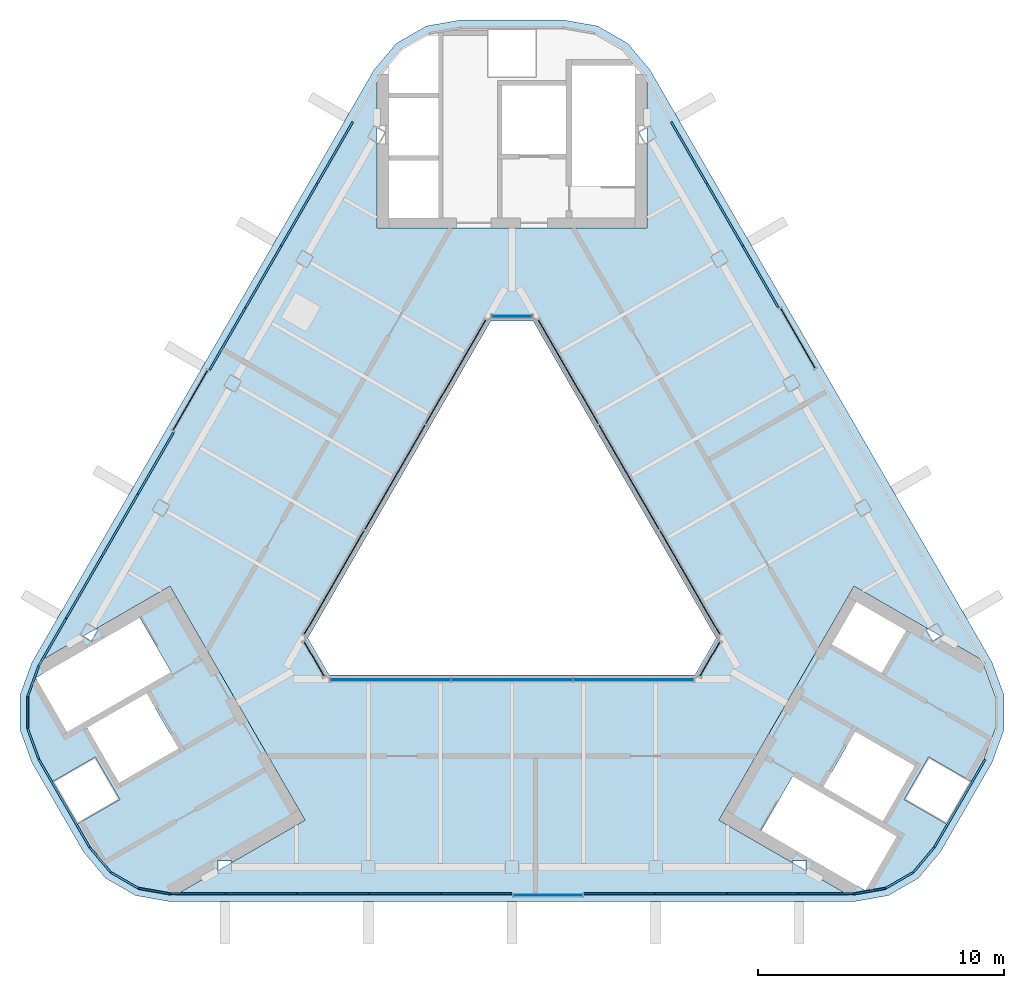
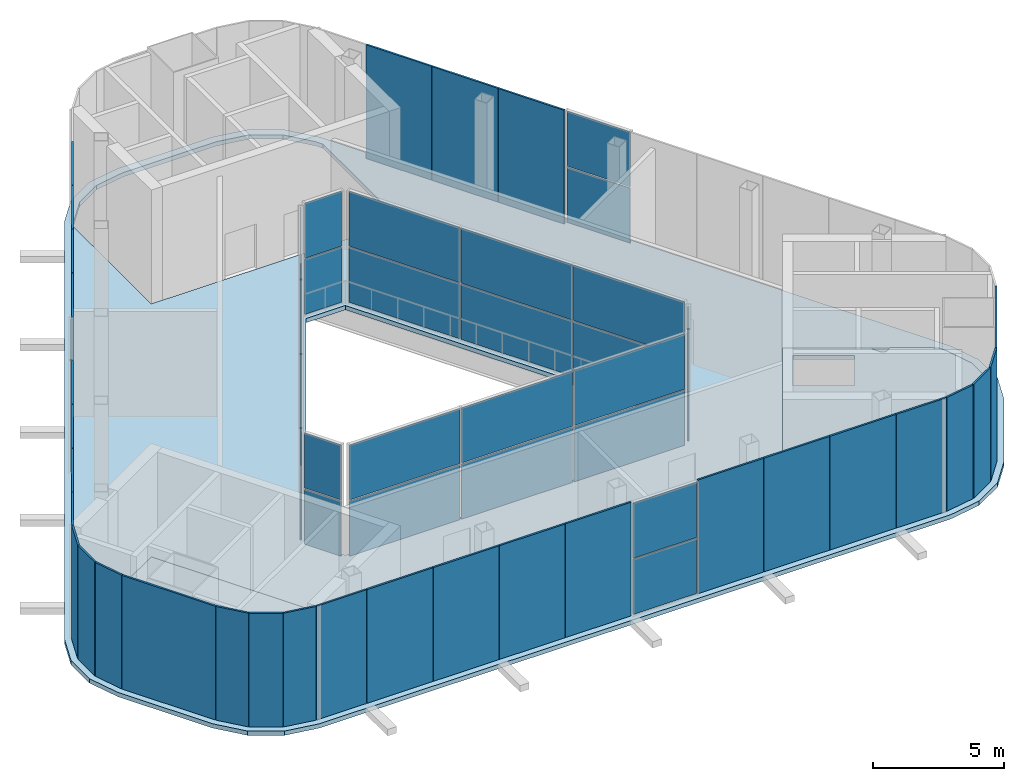
# One storey, part 5 of 9: 61 plates, 3 slabs, 9 elements without a shape of their own.
"""IFC4 building model written with IfcOpenShell, lengths in metres."""

from ifc_helpers import new_model, si_unit, direction, frame, origin, origin_2d, place, context, subcontext, project, spatial, polyline, rectangle, outline, extrude, material, layer, layer_set, type_object, element, aggregate, save


model = new_model("IFC4")

# Units and contexts
model_context = context("Model", 3, precision=1e-05, world=origin(), true_north=direction((0.0, 1.0)))
body_context = subcontext(model_context, "Body", "Model", "MODEL_VIEW")
ifc_project = project(units=[si_unit("LENGTHUNIT", "METRE"), si_unit("AREAUNIT", "SQUARE_METRE"), si_unit("VOLUMEUNIT", "CUBIC_METRE"), si_unit("PLANEANGLEUNIT", "RADIAN"), si_unit("MASSUNIT", "GRAM", prefix="KILO")], contexts=[model_context])

# Site, building, storey
site_placement = place(None, origin())
site = spatial("IfcSite", under=ifc_project, at=site_placement, CompositionType="ELEMENT")
building_placement = place(site_placement, origin())
building = spatial("IfcBuilding", under=site, at=building_placement, Name="Apuvela Tower Hotel", CompositionType="ELEMENT")
storey_placement = place(building_placement, frame((0.0, 0.0, 343.300048828125)))
storey = spatial("IfcBuildingStorey", under=building, at=storey_placement, Name="R-1 ROOF", CompositionType="ELEMENT", Elevation=343.300048828125)

# Slabs
ifc_material_1 = material(Name="Concrete C50/60", Category="concrete")
ifc_layer_1 = layer(ifc_material_1, 0.199951171875)
ifc_layer_set_1 = layer_set([ifc_layer_1], Name="COR-FLOOR-200")
slab_type_1 = type_object("IfcSlabType", Name="COR-FLOOR-200", PredefinedType="FLOOR", material=ifc_layer_set_1)
slab_1_placement = place(storey_placement, frame((0.0, 0.0, -0.199951171875)))
element("IfcSlab", 1, at=slab_1_placement, inside=storey, type_object=slab_type_1, Name="Core floor SW", PredefinedType="FLOOR", context=body_context, shape_type="SweptSolid", body=[
    extrude(outline(polyline([(-16.837890625, -3.4619140625), (-17.11279296875, -3.938232421875), (-17.467041015625, -3.733642578125), (-19.053955078125, -4.64990234375), (-19.223388671875, -4.943603515625), (-19.67529296875, -6.185302734375), (-19.67529296875, -7.47509765625), (-19.223388671875, -8.716796875), (-18.692138671875, -9.63720703125), (-16.9599609375, -8.63720703125), (-15.9599609375, -10.369140625), (-17.692138671875, -11.369140625), (-17.16064453125, -12.289794921875), (-16.311279296875, -13.3017578125), (-15.194091796875, -13.94677734375), (-13.89306640625, -14.17626953125), (-13.553955078125, -14.17626953125), (-11.967041015625, -13.260009765625), (-11.967041015625, -12.851318359375), (-11.4169921875, -12.851318359375), (-11.4169921875, -12.9423828125), (-8.421630859375, -11.213134765625), (-13.921630859375, -1.68701171875), (-16.9169921875, -3.416259765625), (-16.837890625, -3.4619140625)]), holes=[polyline([(-13.874267578125, -5.18115234375), (-18.112548828125, -7.628173828125), (-19.387451171875, -5.419921875), (-15.149169921875, -2.972900390625), (-13.874267578125, -5.18115234375)]), polyline([(-13.56982421875, -8.29638671875), (-15.99462890625, -9.6962890625), (-17.294677734375, -7.444580078125), (-14.869873046875, -6.044677734375), (-13.56982421875, -8.29638671875)])]), origin(), (0.0, 0.0, 1.0), 0.199951171875),
])
slab_2_placement = place(storey_placement, frame((0.0, 0.0, -0.199951171875)))
element("IfcSlab", 2, at=slab_2_placement, inside=storey, type_object=slab_type_1, Name="Core floor SE", PredefinedType="FLOOR", context=body_context, shape_type="SweptSolid", body=[
    extrude(outline(polyline([(11.4169921875, -12.851318359375), (11.967041015625, -12.851318359375), (11.967041015625, -13.260009765625), (13.553955078125, -14.17626953125), (13.89306640625, -14.17626953125), (15.194091796875, -13.94677734375), (16.311279296875, -13.3017578125), (17.16064453125, -12.289794921875), (17.692138671875, -11.369140625), (15.9599609375, -10.369140625), (16.9599609375, -8.63720703125), (18.692138671875, -9.63720703125), (19.223388671875, -8.716796875), (19.67529296875, -7.47509765625), (19.67529296875, -6.185302734375), (19.223388671875, -4.943603515625), (19.053955078125, -4.64990234375), (17.467041015625, -3.733642578125), (17.11279296875, -3.938232421875), (16.837890625, -3.4619140625), (16.9169921875, -3.416259765625), (13.921630859375, -1.68701171875), (8.421630859375, -11.213134765625), (11.4169921875, -12.9423828125), (11.4169921875, -12.851318359375)]), holes=[polyline([(14.01806640625, -2.31982421875), (16.044677734375, -3.489990234375), (15.044677734375, -5.221923828125), (13.01806640625, -4.052001953125), (14.01806640625, -2.31982421875)]), polyline([(10.149169921875, -11.633056640625), (11.42431640625, -9.4248046875), (15.66259765625, -11.871826171875), (14.387451171875, -14.080078125), (10.149169921875, -11.633056640625)]), polyline([(12.669921875, -9.855224609375), (13.9697265625, -7.603515625), (16.394775390625, -9.003662109375), (15.0947265625, -11.25537109375), (12.669921875, -9.855224609375)])]), origin(), (0.0, 0.0, 1.0), 0.199951171875),
])

# Plates
ifc_material_2 = material(Name="Aluminium 6063-T6, black anodised perforated panel", Category="aluminium")
ifc_layer_2 = layer(ifc_material_2, 0.080078125)
ifc_layer_set_2 = layer_set([ifc_layer_2], Name="ENV-CROWN-SCREEN-80")
plate_type_1 = type_object("IfcPlateType", Name="ENV-CROWN-SCREEN-80", PredefinedType="SHEET", material=ifc_layer_set_2)
for number, where, z_axis, x_axis, name in (
    (3, (-7.206298828125, 15.95068359375, 0.0), (0.0, 0.0, 1.0), (-0.5, -0.866025403784, 0.0), "Crown screen 8"),
    (4, (-8.6650390625, 13.42431640625, 0.0), (0.0, 0.0, 1.0), (-0.5, -0.866025403784, 0.0), "Crown screen 9"),
    (5, (-10.12353515625, 10.897705078125, 0.0), (0.0, 0.0, 1.0), (-0.5, -0.866025403784, 0.0), "Crown screen 10"),
    (6, (-11.582275390625, 8.371337890625, 0.0), (0.0, 0.0, 1.0), (-0.5, -0.866025403784, 0.0), "Crown screen 11"),
    (7, (-14.49951171875, 3.318359375, 0.0), (0.0, 0.0, 1.0), (-0.5, -0.866025403784, 0.0), "Crown screen 13"),
    (8, (-15.958251953125, 0.7919921875, 0.0), (0.0, 0.0, 1.0), (-0.5, -0.866025403784, 0.0), "Crown screen 14"),
    (9, (-17.4169921875, -1.734619140625, 0.0), (0.0, 0.0, 1.0), (-0.5, -0.866025403784, 0.0), "Crown screen 15"),
):
    element("IfcPlate", number, at=place(storey_placement, frame(where, z_axis=z_axis, x_axis=x_axis)), inside=storey, type_object=plate_type_1, Name=name, PredefinedType="SHEET", context=body_context, shape_type="SweptSolid", body=[
        extrude(rectangle(XDim=2.897216796875, YDim=0.080078125, at=origin_2d()), origin(), (0.0, 0.0, 1.0), 5.300048828125),
    ])
plate_1_placement = place(storey_placement, frame((-18.702880859375, -3.962158203125, 0.0), z_axis=(0.0, 0.0, 1.0), x_axis=(-0.5, -0.866025403784, 0.0)))
element("IfcPlate", 10, at=plate_1_placement, inside=storey, type_object=plate_type_1, Name="Crown screen 16", PredefinedType="SHEET", context=body_context, shape_type="SweptSolid", body=[
    extrude(rectangle(XDim=2.20751953125, YDim=0.080078125, at=origin_2d()), origin(), (0.0, 0.0, 1.0), 5.300048828125),
])
plate_2_placement = place(storey_placement, frame((-19.487548828125, -5.552490234375, 0.0), z_axis=(0.0, 0.0, 1.0), x_axis=(-0.342020143326, -0.939692620786, 0.0)))
element("IfcPlate", 11, at=plate_2_placement, inside=storey, type_object=plate_type_1, Name="Crown screen 17", PredefinedType="SHEET", context=body_context, shape_type="SweptSolid", body=[
    extrude(rectangle(XDim=1.311767578125, YDim=0.080078125, at=origin_2d()), origin(), (0.0, 0.0, 1.0), 5.300048828125),
])
plate_3_placement = place(storey_placement, frame((-19.71533203125, -6.830078125, 0.0), z_axis=(0.0, 0.0, 1.0), x_axis=(0.0, -1.0, 0.0)))
element("IfcPlate", 12, at=plate_3_placement, inside=storey, type_object=plate_type_1, Name="Crown screen 18", PredefinedType="SHEET", context=body_context, shape_type="SweptSolid", body=[
    extrude(rectangle(XDim=1.2841796875, YDim=0.080078125, at=origin_2d()), origin(), (0.0, 0.0, 1.0), 5.300048828125),
])
plate_4_placement = place(storey_placement, frame((-19.487548828125, -8.10791015625, 0.0), z_axis=(0.0, 0.0, 1.0), x_axis=(0.342020143326, -0.939692620786, 0.0)))
element("IfcPlate", 13, at=plate_4_placement, inside=storey, type_object=plate_type_1, Name="Crown screen 19", PredefinedType="SHEET", context=body_context, shape_type="SweptSolid", body=[
    extrude(rectangle(XDim=1.311767578125, YDim=0.080078125, at=origin_2d()), origin(), (0.0, 0.0, 1.0), 5.300048828125),
])
plate_5_placement = place(storey_placement, frame((-18.226806640625, -10.523193359375, 0.0), z_axis=(0.0, 0.0, 1.0), x_axis=(0.5, -0.866025403784, 0.0)))
element("IfcPlate", 14, at=plate_5_placement, inside=storey, type_object=plate_type_1, Name="Crown screen 20", PredefinedType="SHEET", context=body_context, shape_type="SweptSolid", body=[
    extrude(rectangle(XDim=4.11279296875, YDim=0.080078125, at=origin_2d()), origin(), (0.0, 0.0, 1.0), 5.300048828125),
])
plate_6_placement = place(storey_placement, frame((-16.765380859375, -12.82275390625, 0.0), z_axis=(0.0, 0.0, 1.0), x_axis=(0.642787609687, -0.766044443119, 0.0)))
element("IfcPlate", 15, at=plate_6_placement, inside=storey, type_object=plate_type_1, Name="Crown screen 21", PredefinedType="SHEET", context=body_context, shape_type="SweptSolid", body=[
    extrude(rectangle(XDim=1.311767578125, YDim=0.080078125, at=origin_2d()), origin(), (0.0, 0.0, 1.0), 5.300048828125),
])
plate_7_placement = place(storey_placement, frame((-15.772705078125, -13.658935546875, 0.0), z_axis=(0.0, 0.0, 1.0), x_axis=(0.866025403784, -0.5, 0.0)))
element("IfcPlate", 16, at=plate_7_placement, inside=storey, type_object=plate_type_1, Name="Crown screen 22", PredefinedType="SHEET", context=body_context, shape_type="SweptSolid", body=[
    extrude(rectangle(XDim=1.2841796875, YDim=0.080078125, at=origin_2d()), origin(), (0.0, 0.0, 1.0), 5.300048828125),
])
plate_8_placement = place(storey_placement, frame((-14.55224609375, -14.1005859375, 0.0), z_axis=(0.0, 0.0, 1.0), x_axis=(0.984807753012, -0.173648177667, 0.0)))
element("IfcPlate", 17, at=plate_8_placement, inside=storey, type_object=plate_type_1, Name="Crown screen 23", PredefinedType="SHEET", context=body_context, shape_type="SweptSolid", body=[
    extrude(rectangle(XDim=1.311767578125, YDim=0.080078125, at=origin_2d()), origin(), (0.0, 0.0, 1.0), 5.300048828125),
])
plate_9_placement = place(storey_placement, frame((-12.782958984375, -14.21630859375, 0.0), z_axis=(0.0, 0.0, 1.0), x_axis=(1.0, 0.0, 0.0)))
element("IfcPlate", 18, at=plate_9_placement, inside=storey, type_object=plate_type_1, Name="Crown screen 24", PredefinedType="SHEET", context=body_context, shape_type="SweptSolid", body=[
    extrude(rectangle(XDim=2.20751953125, YDim=0.080078125, at=origin_2d()), origin(), (0.0, 0.0, 1.0), 5.300048828125),
])
for number, where, z_axis, x_axis, name in (
    (19, (-10.210693359375, -14.21630859375, 0.0), (0.0, 0.0, 1.0), (1.0, 0.0, 0.0), "Crown screen 25"),
    (20, (-7.293212890625, -14.21630859375, 0.0), (0.0, 0.0, 1.0), (1.0, 0.0, 0.0), "Crown screen 26"),
    (21, (-4.3759765625, -14.21630859375, 0.0), (0.0, 0.0, 1.0), (1.0, 0.0, 0.0), "Crown screen 27"),
    (22, (-1.458740234375, -14.21630859375, 0.0), (0.0, 0.0, 1.0), (1.0, 0.0, 0.0), "Crown screen 28"),
    (23, (4.3759765625, -14.21630859375, 0.0), (0.0, 0.0, 1.0), (1.0, 0.0, 0.0), "Crown screen 30"),
    (24, (7.293212890625, -14.21630859375, 0.0), (0.0, 0.0, 1.0), (1.0, 0.0, 0.0), "Crown screen 31"),
    (25, (10.210693359375, -14.21630859375, 0.0), (0.0, 0.0, 1.0), (1.0, 0.0, 0.0), "Crown screen 32"),
):
    element("IfcPlate", number, at=place(storey_placement, frame(where, z_axis=z_axis, x_axis=x_axis)), inside=storey, type_object=plate_type_1, Name=name, PredefinedType="SHEET", context=body_context, shape_type="SweptSolid", body=[
        extrude(rectangle(XDim=2.897216796875, YDim=0.080078125, at=origin_2d()), origin(), (0.0, 0.0, 1.0), 5.300048828125),
    ])
plate_10_placement = place(storey_placement, frame((12.782958984375, -14.21630859375, 0.0), z_axis=(0.0, 0.0, 1.0), x_axis=(1.0, 0.0, 0.0)))
element("IfcPlate", 26, at=plate_10_placement, inside=storey, type_object=plate_type_1, Name="Crown screen 33", PredefinedType="SHEET", context=body_context, shape_type="SweptSolid", body=[
    extrude(rectangle(XDim=2.20751953125, YDim=0.080078125, at=origin_2d()), origin(), (0.0, 0.0, 1.0), 5.300048828125),
])
plate_11_placement = place(storey_placement, frame((14.55224609375, -14.1005859375, 0.0), z_axis=(0.0, 0.0, 1.0), x_axis=(0.984807753012, 0.173648177667, 0.0)))
element("IfcPlate", 27, at=plate_11_placement, inside=storey, type_object=plate_type_1, Name="Crown screen 34", PredefinedType="SHEET", context=body_context, shape_type="SweptSolid", body=[
    extrude(rectangle(XDim=1.311767578125, YDim=0.080078125, at=origin_2d()), origin(), (0.0, 0.0, 1.0), 5.300048828125),
])
plate_12_placement = place(storey_placement, frame((15.772705078125, -13.658935546875, 0.0), z_axis=(0.0, 0.0, 1.0), x_axis=(0.866025403784, 0.5, 0.0)))
element("IfcPlate", 28, at=plate_12_placement, inside=storey, type_object=plate_type_1, Name="Crown screen 35", PredefinedType="SHEET", context=body_context, shape_type="SweptSolid", body=[
    extrude(rectangle(XDim=1.2841796875, YDim=0.080078125, at=origin_2d()), origin(), (0.0, 0.0, 1.0), 5.300048828125),
])
plate_13_placement = place(storey_placement, frame((16.765380859375, -12.82275390625, 0.0), z_axis=(0.0, 0.0, 1.0), x_axis=(0.642787609687, 0.766044443119, 0.0)))
element("IfcPlate", 29, at=plate_13_placement, inside=storey, type_object=plate_type_1, Name="Crown screen 36", PredefinedType="SHEET", context=body_context, shape_type="SweptSolid", body=[
    extrude(rectangle(XDim=1.311767578125, YDim=0.080078125, at=origin_2d()), origin(), (0.0, 0.0, 1.0), 5.300048828125),
])
plate_14_placement = place(storey_placement, frame((18.226806640625, -10.523193359375, 0.0), z_axis=(0.0, 0.0, 1.0), x_axis=(0.5, 0.866025403784, 0.0)))
element("IfcPlate", 30, at=plate_14_placement, inside=storey, type_object=plate_type_1, Name="Crown screen 37", PredefinedType="SHEET", context=body_context, shape_type="SweptSolid", body=[
    extrude(rectangle(XDim=4.11279296875, YDim=0.080078125, at=origin_2d()), origin(), (0.0, 0.0, 1.0), 5.300048828125),
])
for number, where, z_axis, x_axis, name in (
    (31, (10.12353515625, 10.897705078125, 0.0), (0.0, 0.0, 1.0), (-0.5, 0.866025403784, 0.0), "Crown screen 47"),
    (32, (8.6650390625, 13.42431640625, 0.0), (0.0, 0.0, 1.0), (-0.5, 0.866025403784, 0.0), "Crown screen 48"),
    (33, (7.206298828125, 15.95068359375, 0.0), (0.0, 0.0, 1.0), (-0.5, 0.866025403784, 0.0), "Crown screen 49"),
):
    element("IfcPlate", number, at=place(storey_placement, frame(where, z_axis=z_axis, x_axis=x_axis)), inside=storey, type_object=plate_type_1, Name=name, PredefinedType="SHEET", context=body_context, shape_type="SweptSolid", body=[
        extrude(rectangle(XDim=2.897216796875, YDim=0.080078125, at=origin_2d()), origin(), (0.0, 0.0, 1.0), 5.300048828125),
    ])

# Curtain wall, plates
ifc_material_3 = material(Name="Aluminium 6063-T6, dark bronze anodised", Category="aluminium")
ifc_layer_3 = layer(ifc_material_3, 0.199951171875)
ifc_layer_set_3 = layer_set([ifc_layer_3], Name="ENV-CW-C")
curtain_wall_type_1 = type_object("IfcCurtainWallType", Name="ENV-CW-C", PredefinedType="NOTDEFINED", material=ifc_layer_set_3)
curtain_wall_1_placement = place(storey_placement, origin())
curtain_wall_1 = element("IfcCurtainWall", 34, at=curtain_wall_1_placement, inside=storey, type_object=curtain_wall_type_1, Name="Crown glazing 12 R-1 ROOF", PredefinedType="NOTDEFINED")
ifc_material_4 = material(Name="Glass, dark tinted laminated insulated glazing unit", Category="glass")
ifc_layer_4 = layer(ifc_material_4, 0.0400390625)
ifc_layer_set_4 = layer_set([ifc_layer_4], Name="ENV-PANEL-IGU-40")
plate_type_2 = type_object("IfcPlateType", Name="ENV-PANEL-IGU-40", PredefinedType="CURTAIN_PANEL", material=ifc_layer_set_4)
plate_15_placement = place(storey_placement, frame((-13.093017578125, 5.874755859375, 0.06494140625), z_axis=(0.0, 0.0, 1.0), x_axis=(-0.499980601426, -0.866036603266, 0.0)))
plate_15 = element("IfcPlate", 35, at=plate_15_placement, type_object=plate_type_2, Name="CW-C panel 1.1", PredefinedType="CURTAIN_PANEL", context=body_context, shape_type="SweptSolid", body=[
    extrude(rectangle(XDim=2.787353515625, YDim=0.0400390625, at=origin_2d()), origin(), (0.0, 0.0, 1.0), 2.552490234375),
])
plate_16_placement = place(storey_placement, frame((-13.093017578125, 5.874755859375, 2.6826171875), z_axis=(0.0, 0.0, 1.0), x_axis=(-0.499980601426, -0.866036603266, 0.0)))
plate_16 = element("IfcPlate", 36, at=plate_16_placement, type_object=plate_type_2, Name="CW-C panel 1.2", PredefinedType="CURTAIN_PANEL", context=body_context, shape_type="SweptSolid", body=[
    extrude(rectangle(XDim=2.787353515625, YDim=0.0400390625, at=origin_2d()), origin(), (0.0, 0.0, 1.0), 2.552490234375),
])
aggregate(curtain_wall_1, [plate_15, plate_16])

curtain_wall_2_placement = place(storey_placement, origin())
curtain_wall_2 = element("IfcCurtainWall", 37, at=curtain_wall_2_placement, inside=storey, type_object=curtain_wall_type_1, Name="Crown glazing 29 R-1 ROOF", PredefinedType="NOTDEFINED")
plate_17_placement = place(storey_placement, frame((1.458740234375, -14.276123046875, 0.06494140625), z_axis=(0.0, 0.0, 1.0), x_axis=(1.0, 0.0, 0.0)))
plate_17 = element("IfcPlate", 38, at=plate_17_placement, type_object=plate_type_2, Name="CW-C panel 1.1", PredefinedType="CURTAIN_PANEL", context=body_context, shape_type="SweptSolid", body=[
    extrude(rectangle(XDim=2.787353515625, YDim=0.0400390625, at=origin_2d()), origin(), (0.0, 0.0, 1.0), 2.552490234375),
])
plate_18_placement = place(storey_placement, frame((1.458740234375, -14.276123046875, 2.6826171875), z_axis=(0.0, 0.0, 1.0), x_axis=(1.0, 0.0, 0.0)))
plate_18 = element("IfcPlate", 39, at=plate_18_placement, type_object=plate_type_2, Name="CW-C panel 1.2", PredefinedType="CURTAIN_PANEL", context=body_context, shape_type="SweptSolid", body=[
    extrude(rectangle(XDim=2.787353515625, YDim=0.0400390625, at=origin_2d()), origin(), (0.0, 0.0, 1.0), 2.552490234375),
])
aggregate(curtain_wall_2, [plate_17, plate_18])

curtain_wall_3_placement = place(storey_placement, origin())
curtain_wall_3 = element("IfcCurtainWall", 40, at=curtain_wall_3_placement, inside=storey, type_object=curtain_wall_type_1, Name="Crown glazing 46 R-1 ROOF", PredefinedType="NOTDEFINED")
plate_19_placement = place(storey_placement, frame((11.63427734375, 8.4013671875, 0.06494140625), z_axis=(0.0, 0.0, 1.0), x_axis=(-0.500006310028, 0.866021760657, 0.0)))
plate_19 = element("IfcPlate", 41, at=plate_19_placement, type_object=plate_type_2, Name="CW-C panel 1.1", PredefinedType="CURTAIN_PANEL", context=body_context, shape_type="SweptSolid", body=[
    extrude(rectangle(XDim=2.787353515625, YDim=0.0400390625, at=origin_2d()), origin(), (0.0, 0.0, 1.0), 2.552490234375),
])
plate_20_placement = place(storey_placement, frame((11.63427734375, 8.4013671875, 2.6826171875), z_axis=(0.0, 0.0, 1.0), x_axis=(-0.500006310028, 0.866021760657, 0.0)))
plate_20 = element("IfcPlate", 42, at=plate_20_placement, type_object=plate_type_2, Name="CW-C panel 1.2", PredefinedType="CURTAIN_PANEL", context=body_context, shape_type="SweptSolid", body=[
    extrude(rectangle(XDim=2.787353515625, YDim=0.0400390625, at=origin_2d()), origin(), (0.0, 0.0, 1.0), 2.552490234375),
])
aggregate(curtain_wall_3, [plate_19, plate_20])

ifc_layer_5 = layer(ifc_material_3, 0.199951171875)
ifc_layer_set_5 = layer_set([ifc_layer_5], Name="ENV-CW-A")
curtain_wall_type_2 = type_object("IfcCurtainWallType", Name="ENV-CW-A", PredefinedType="NOTDEFINED", material=ifc_layer_set_5)
curtain_wall_4_placement = place(storey_placement, origin())
curtain_wall_4 = element("IfcCurtainWall", 43, at=curtain_wall_4_placement, inside=storey, type_object=curtain_wall_type_2, Name="Atrium glazing 1 R-1 ROOF", PredefinedType="NOTDEFINED")
plate_21_placement = place(storey_placement, frame((0.0, 9.300048828125, 0.06494140625), z_axis=(0.0, 0.0, 1.0), x_axis=(-1.0, 0.0, 0.0)))
plate_21 = element("IfcPlate", 44, at=plate_21_placement, type_object=plate_type_2, Name="CW-A panel 1.1", PredefinedType="CURTAIN_PANEL", context=body_context, shape_type="SweptSolid", body=[
    extrude(rectangle(XDim=1.60205078125, YDim=0.0400390625, at=origin_2d()), origin(), (0.0, 0.0, 1.0), 2.552490234375),
])
plate_22_placement = place(storey_placement, frame((0.0, 9.300048828125, 2.6826171875), z_axis=(0.0, 0.0, 1.0), x_axis=(-1.0, 0.0, 0.0)))
plate_22 = element("IfcPlate", 45, at=plate_22_placement, type_object=plate_type_2, Name="CW-A panel 1.2", PredefinedType="CURTAIN_PANEL", context=body_context, shape_type="SweptSolid", body=[
    extrude(rectangle(XDim=1.60205078125, YDim=0.0400390625, at=origin_2d()), origin(), (0.0, 0.0, 1.0), 2.552490234375),
])
aggregate(curtain_wall_4, [plate_21, plate_22])

curtain_wall_5_placement = place(storey_placement, origin())
curtain_wall_5 = element("IfcCurtainWall", 46, at=curtain_wall_5_placement, inside=storey, type_object=curtain_wall_type_2, Name="Atrium glazing 2 R-1 ROOF", PredefinedType="NOTDEFINED")
plate_23_placement = place(storey_placement, frame((-2.28857421875, 7.035888671875, 0.06494140625), z_axis=(0.0, 0.0, 1.0), x_axis=(-0.499999069899, -0.866025940778, 0.0)))
plate_23 = element("IfcPlate", 47, at=plate_23_placement, type_object=plate_type_2, Name="CW-A panel 1.1", PredefinedType="CURTAIN_PANEL", context=body_context, shape_type="SweptSolid", body=[
    extrude(rectangle(XDim=4.86767578125, YDim=0.0400390625, at=origin_2d()), origin(), (0.0, 0.0, 1.0), 2.552490234375),
])
plate_24_placement = place(storey_placement, frame((-2.28857421875, 7.035888671875, 2.6826171875), z_axis=(0.0, 0.0, 1.0), x_axis=(-0.499999069899, -0.866025940778, 0.0)))
plate_24 = element("IfcPlate", 48, at=plate_24_placement, type_object=plate_type_2, Name="CW-A panel 1.2", PredefinedType="CURTAIN_PANEL", context=body_context, shape_type="SweptSolid", body=[
    extrude(rectangle(XDim=4.86767578125, YDim=0.0400390625, at=origin_2d()), origin(), (0.0, 0.0, 1.0), 2.552490234375),
])
plate_25_placement = place(storey_placement, frame((-4.76318359375, 2.75, 0.06494140625), z_axis=(0.0, 0.0, 1.0), x_axis=(-0.499999069899, -0.866025940778, 0.0)))
plate_25 = element("IfcPlate", 49, at=plate_25_placement, type_object=plate_type_2, Name="CW-A panel 2.1", PredefinedType="CURTAIN_PANEL", context=body_context, shape_type="SweptSolid", body=[
    extrude(rectangle(XDim=4.900146484375, YDim=0.0400390625, at=origin_2d()), origin(), (0.0, 0.0, 1.0), 2.552490234375),
])
plate_26_placement = place(storey_placement, frame((-4.76318359375, 2.75, 2.6826171875), z_axis=(0.0, 0.0, 1.0), x_axis=(-0.499999069899, -0.866025940778, 0.0)))
plate_26 = element("IfcPlate", 50, at=plate_26_placement, type_object=plate_type_2, Name="CW-A panel 2.2", PredefinedType="CURTAIN_PANEL", context=body_context, shape_type="SweptSolid", body=[
    extrude(rectangle(XDim=4.900146484375, YDim=0.0400390625, at=origin_2d()), origin(), (0.0, 0.0, 1.0), 2.552490234375),
])
plate_27_placement = place(storey_placement, frame((-7.237548828125, -1.535888671875, 0.06494140625), z_axis=(0.0, 0.0, 1.0), x_axis=(-0.499999069899, -0.866025940778, 0.0)))
plate_27 = element("IfcPlate", 51, at=plate_27_placement, type_object=plate_type_2, Name="CW-A panel 3.1", PredefinedType="CURTAIN_PANEL", context=body_context, shape_type="SweptSolid", body=[
    extrude(rectangle(XDim=4.86767578125, YDim=0.0400390625, at=origin_2d()), origin(), (0.0, 0.0, 1.0), 2.552490234375),
])
plate_28_placement = place(storey_placement, frame((-7.237548828125, -1.535888671875, 2.6826171875), z_axis=(0.0, 0.0, 1.0), x_axis=(-0.499999069899, -0.866025940778, 0.0)))
plate_28 = element("IfcPlate", 52, at=plate_28_placement, type_object=plate_type_2, Name="CW-A panel 3.2", PredefinedType="CURTAIN_PANEL", context=body_context, shape_type="SweptSolid", body=[
    extrude(rectangle(XDim=4.86767578125, YDim=0.0400390625, at=origin_2d()), origin(), (0.0, 0.0, 1.0), 2.552490234375),
])
aggregate(curtain_wall_5, [plate_23, plate_24, plate_25, plate_26, plate_27, plate_28])

curtain_wall_6_placement = place(storey_placement, origin())
curtain_wall_6 = element("IfcCurtainWall", 53, at=curtain_wall_6_placement, inside=storey, type_object=curtain_wall_type_2, Name="Atrium glazing 3 R-1 ROOF", PredefinedType="NOTDEFINED")
plate_29_placement = place(storey_placement, frame((-8.053955078125, -4.64990234375, 0.06494140625), z_axis=(0.0, 0.0, 1.0), x_axis=(0.49998899972, -0.866031754706, 0.0)))
plate_29 = element("IfcPlate", 54, at=plate_29_placement, type_object=plate_type_2, Name="CW-A panel 1.1", PredefinedType="CURTAIN_PANEL", context=body_context, shape_type="SweptSolid", body=[
    extrude(rectangle(XDim=1.60205078125, YDim=0.0400390625, at=origin_2d()), origin(), (0.0, 0.0, 1.0), 2.552490234375),
])
plate_30_placement = place(storey_placement, frame((-8.053955078125, -4.64990234375, 2.6826171875), z_axis=(0.0, 0.0, 1.0), x_axis=(0.49998899972, -0.866031754706, 0.0)))
plate_30 = element("IfcPlate", 55, at=plate_30_placement, type_object=plate_type_2, Name="CW-A panel 1.2", PredefinedType="CURTAIN_PANEL", context=body_context, shape_type="SweptSolid", body=[
    extrude(rectangle(XDim=1.60205078125, YDim=0.0400390625, at=origin_2d()), origin(), (0.0, 0.0, 1.0), 2.552490234375),
])
aggregate(curtain_wall_6, [plate_29, plate_30])

curtain_wall_7_placement = place(storey_placement, origin())
curtain_wall_7 = element("IfcCurtainWall", 56, at=curtain_wall_7_placement, inside=storey, type_object=curtain_wall_type_2, Name="Atrium glazing 4 R-1 ROOF", PredefinedType="NOTDEFINED")
plate_31_placement = place(storey_placement, frame((-4.948974609375, -5.5, 0.06494140625), z_axis=(0.0, 0.0, 1.0), x_axis=(1.0, 0.0, 0.0)))
plate_31 = element("IfcPlate", 57, at=plate_31_placement, type_object=plate_type_2, Name="CW-A panel 1.1", PredefinedType="CURTAIN_PANEL", context=body_context, shape_type="SweptSolid", body=[
    extrude(rectangle(XDim=4.86767578125, YDim=0.0400390625, at=origin_2d()), origin(), (0.0, 0.0, 1.0), 2.552490234375),
])
plate_32_placement = place(storey_placement, frame((-4.948974609375, -5.5, 2.6826171875), z_axis=(0.0, 0.0, 1.0), x_axis=(1.0, 0.0, 0.0)))
plate_32 = element("IfcPlate", 58, at=plate_32_placement, type_object=plate_type_2, Name="CW-A panel 1.2", PredefinedType="CURTAIN_PANEL", context=body_context, shape_type="SweptSolid", body=[
    extrude(rectangle(XDim=4.86767578125, YDim=0.0400390625, at=origin_2d()), origin(), (0.0, 0.0, 1.0), 2.552490234375),
])
plate_33_placement = place(storey_placement, frame((0.0, -5.5, 0.06494140625), z_axis=(0.0, 0.0, 1.0), x_axis=(1.0, 0.0, 0.0)))
plate_33 = element("IfcPlate", 59, at=plate_33_placement, type_object=plate_type_2, Name="CW-A panel 2.1", PredefinedType="CURTAIN_PANEL", context=body_context, shape_type="SweptSolid", body=[
    extrude(rectangle(XDim=4.900146484375, YDim=0.0400390625, at=origin_2d()), origin(), (0.0, 0.0, 1.0), 2.552490234375),
])
plate_34_placement = place(storey_placement, frame((0.0, -5.5, 2.6826171875), z_axis=(0.0, 0.0, 1.0), x_axis=(1.0, 0.0, 0.0)))
plate_34 = element("IfcPlate", 60, at=plate_34_placement, type_object=plate_type_2, Name="CW-A panel 2.2", PredefinedType="CURTAIN_PANEL", context=body_context, shape_type="SweptSolid", body=[
    extrude(rectangle(XDim=4.900146484375, YDim=0.0400390625, at=origin_2d()), origin(), (0.0, 0.0, 1.0), 2.552490234375),
])
plate_35_placement = place(storey_placement, frame((4.948974609375, -5.5, 0.06494140625), z_axis=(0.0, 0.0, 1.0), x_axis=(1.0, 0.0, 0.0)))
plate_35 = element("IfcPlate", 61, at=plate_35_placement, type_object=plate_type_2, Name="CW-A panel 3.1", PredefinedType="CURTAIN_PANEL", context=body_context, shape_type="SweptSolid", body=[
    extrude(rectangle(XDim=4.86767578125, YDim=0.0400390625, at=origin_2d()), origin(), (0.0, 0.0, 1.0), 2.552490234375),
])
plate_36_placement = place(storey_placement, frame((4.948974609375, -5.5, 2.6826171875), z_axis=(0.0, 0.0, 1.0), x_axis=(1.0, 0.0, 0.0)))
plate_36 = element("IfcPlate", 62, at=plate_36_placement, type_object=plate_type_2, Name="CW-A panel 3.2", PredefinedType="CURTAIN_PANEL", context=body_context, shape_type="SweptSolid", body=[
    extrude(rectangle(XDim=4.86767578125, YDim=0.0400390625, at=origin_2d()), origin(), (0.0, 0.0, 1.0), 2.552490234375),
])
aggregate(curtain_wall_7, [plate_31, plate_32, plate_33, plate_34, plate_35, plate_36])

curtain_wall_8_placement = place(storey_placement, origin())
curtain_wall_8 = element("IfcCurtainWall", 63, at=curtain_wall_8_placement, inside=storey, type_object=curtain_wall_type_2, Name="Atrium glazing 5 R-1 ROOF", PredefinedType="NOTDEFINED")
plate_37_placement = place(storey_placement, frame((8.053955078125, -4.64990234375, 0.06494140625), z_axis=(0.0, 0.0, 1.0), x_axis=(0.49998899972, 0.866031754706, 0.0)))
plate_37 = element("IfcPlate", 64, at=plate_37_placement, type_object=plate_type_2, Name="CW-A panel 1.1", PredefinedType="CURTAIN_PANEL", context=body_context, shape_type="SweptSolid", body=[
    extrude(rectangle(XDim=1.60205078125, YDim=0.0400390625, at=origin_2d()), origin(), (0.0, 0.0, 1.0), 2.552490234375),
])
plate_38_placement = place(storey_placement, frame((8.053955078125, -4.64990234375, 2.6826171875), z_axis=(0.0, 0.0, 1.0), x_axis=(0.49998899972, 0.866031754706, 0.0)))
plate_38 = element("IfcPlate", 65, at=plate_38_placement, type_object=plate_type_2, Name="CW-A panel 1.2", PredefinedType="CURTAIN_PANEL", context=body_context, shape_type="SweptSolid", body=[
    extrude(rectangle(XDim=1.60205078125, YDim=0.0400390625, at=origin_2d()), origin(), (0.0, 0.0, 1.0), 2.552490234375),
])
aggregate(curtain_wall_8, [plate_37, plate_38])

curtain_wall_9_placement = place(storey_placement, origin())
curtain_wall_9 = element("IfcCurtainWall", 66, at=curtain_wall_9_placement, inside=storey, type_object=curtain_wall_type_2, Name="Atrium glazing 6 R-1 ROOF", PredefinedType="NOTDEFINED")
plate_39_placement = place(storey_placement, frame((7.237548828125, -1.535888671875, 0.06494140625), z_axis=(0.0, 0.0, 1.0), x_axis=(-0.499999069899, 0.866025940778, 0.0)))
plate_39 = element("IfcPlate", 67, at=plate_39_placement, type_object=plate_type_2, Name="CW-A panel 1.1", PredefinedType="CURTAIN_PANEL", context=body_context, shape_type="SweptSolid", body=[
    extrude(rectangle(XDim=4.86767578125, YDim=0.0400390625, at=origin_2d()), origin(), (0.0, 0.0, 1.0), 2.552490234375),
])
plate_40_placement = place(storey_placement, frame((7.237548828125, -1.535888671875, 2.6826171875), z_axis=(0.0, 0.0, 1.0), x_axis=(-0.499999069899, 0.866025940778, 0.0)))
plate_40 = element("IfcPlate", 68, at=plate_40_placement, type_object=plate_type_2, Name="CW-A panel 1.2", PredefinedType="CURTAIN_PANEL", context=body_context, shape_type="SweptSolid", body=[
    extrude(rectangle(XDim=4.86767578125, YDim=0.0400390625, at=origin_2d()), origin(), (0.0, 0.0, 1.0), 2.552490234375),
])
plate_41_placement = place(storey_placement, frame((4.76318359375, 2.75, 0.06494140625), z_axis=(0.0, 0.0, 1.0), x_axis=(-0.499999069899, 0.866025940778, 0.0)))
plate_41 = element("IfcPlate", 69, at=plate_41_placement, type_object=plate_type_2, Name="CW-A panel 2.1", PredefinedType="CURTAIN_PANEL", context=body_context, shape_type="SweptSolid", body=[
    extrude(rectangle(XDim=4.900146484375, YDim=0.0400390625, at=origin_2d()), origin(), (0.0, 0.0, 1.0), 2.552490234375),
])
plate_42_placement = place(storey_placement, frame((4.76318359375, 2.75, 2.6826171875), z_axis=(0.0, 0.0, 1.0), x_axis=(-0.499999069899, 0.866025940778, 0.0)))
plate_42 = element("IfcPlate", 70, at=plate_42_placement, type_object=plate_type_2, Name="CW-A panel 2.2", PredefinedType="CURTAIN_PANEL", context=body_context, shape_type="SweptSolid", body=[
    extrude(rectangle(XDim=4.900146484375, YDim=0.0400390625, at=origin_2d()), origin(), (0.0, 0.0, 1.0), 2.552490234375),
])
plate_43_placement = place(storey_placement, frame((2.28857421875, 7.035888671875, 0.06494140625), z_axis=(0.0, 0.0, 1.0), x_axis=(-0.499999069899, 0.866025940778, 0.0)))
plate_43 = element("IfcPlate", 71, at=plate_43_placement, type_object=plate_type_2, Name="CW-A panel 3.1", PredefinedType="CURTAIN_PANEL", context=body_context, shape_type="SweptSolid", body=[
    extrude(rectangle(XDim=4.86767578125, YDim=0.0400390625, at=origin_2d()), origin(), (0.0, 0.0, 1.0), 2.552490234375),
])
plate_44_placement = place(storey_placement, frame((2.28857421875, 7.035888671875, 2.6826171875), z_axis=(0.0, 0.0, 1.0), x_axis=(-0.499999069899, 0.866025940778, 0.0)))
plate_44 = element("IfcPlate", 72, at=plate_44_placement, type_object=plate_type_2, Name="CW-A panel 3.2", PredefinedType="CURTAIN_PANEL", context=body_context, shape_type="SweptSolid", body=[
    extrude(rectangle(XDim=4.86767578125, YDim=0.0400390625, at=origin_2d()), origin(), (0.0, 0.0, 1.0), 2.552490234375),
])
aggregate(curtain_wall_9, [plate_39, plate_40, plate_41, plate_42, plate_43, plate_44])

# Slab
ifc_material_5 = material(Name="Concrete C35/45", Category="concrete")
ifc_layer_6 = layer(ifc_material_5, 0.199951171875)
ifc_layer_set_6 = layer_set([ifc_layer_6], Name="STR-SLAB 200 floor Concrete C35/45")
slab_type_2 = type_object("IfcSlabType", Name="STR-SLAB 200 floor Concrete C35/45", PredefinedType="FLOOR", material=ifc_layer_set_6)
slab_3_placement = place(storey_placement, frame((0.0, 0.0, -0.199951171875)))
element("IfcSlab", 73, at=slab_3_placement, inside=storey, type_object=slab_type_2, Name="Floor slab S6 R-1 ROOF", PredefinedType="FLOOR", context=body_context, shape_type="SweptSolid", body=[
    extrude(outline(polyline([(5.6181640625, 19.3212890625), (4.709716796875, 20.404296875), (3.485595703125, 21.11083984375), (2.093505859375, 21.3564453125), (-2.093505859375, 21.3564453125), (-3.485595703125, 21.11083984375), (-4.709716796875, 20.404296875), (-5.6181640625, 19.3212890625), (-19.5419921875, -4.795166015625), (-20.025390625, -6.12353515625), (-20.025390625, -7.536865234375), (-19.5419921875, -8.865234375), (-17.448486328125, -12.4912109375), (-16.539794921875, -13.573974609375), (-15.315673828125, -14.28076171875), (-13.923583984375, -14.526123046875), (13.923583984375, -14.526123046875), (15.315673828125, -14.28076171875), (16.539794921875, -13.573974609375), (17.448486328125, -12.4912109375), (19.5419921875, -8.865234375), (20.025390625, -7.536865234375), (20.025390625, -6.12353515625), (19.5419921875, -4.795166015625), (5.6181640625, 19.3212890625)]), holes=[polyline([(0.865966796875, 9.10009765625), (-0.865966796875, 9.10009765625), (-8.313720703125, -3.800048828125), (-7.44775390625, -5.300048828125), (7.44775390625, -5.300048828125), (8.313720703125, -3.800048828125), (0.865966796875, 9.10009765625)]), polyline([(-5.5, 12.89990234375), (-5.5, 18.826171875), (-5.330322265625, 19.119873046875), (-4.481201171875, 20.1318359375), (-3.364013671875, 20.777099609375), (-2.06298828125, 21.00634765625), (2.06298828125, 21.00634765625), (3.364013671875, 20.777099609375), (4.481201171875, 20.1318359375), (5.330322265625, 19.119873046875), (5.5, 18.826171875), (5.5, 12.89990234375), (-5.5, 12.89990234375)]), polyline([(-8.421630859375, -11.213134765625), (-13.553955078125, -14.17626953125), (-13.89306640625, -14.17626953125), (-15.194091796875, -13.94677734375), (-16.311279296875, -13.3017578125), (-17.16064453125, -12.289794921875), (-19.223388671875, -8.716796875), (-19.67529296875, -7.47509765625), (-19.67529296875, -6.185302734375), (-19.223388671875, -4.943603515625), (-19.053955078125, -4.64990234375), (-13.921630859375, -1.68701171875), (-8.421630859375, -11.213134765625)]), polyline([(13.921630859375, -1.68701171875), (19.053955078125, -4.64990234375), (19.223388671875, -4.943603515625), (19.67529296875, -6.185302734375), (19.67529296875, -7.47509765625), (19.223388671875, -8.716796875), (17.16064453125, -12.289794921875), (16.311279296875, -13.3017578125), (15.194091796875, -13.94677734375), (13.89306640625, -14.17626953125), (13.553955078125, -14.17626953125), (8.421630859375, -11.213134765625), (13.921630859375, -1.68701171875)])]), origin(), (0.0, 0.0, 1.0), 0.199951171875),
])

save(model, "model.ifc")
